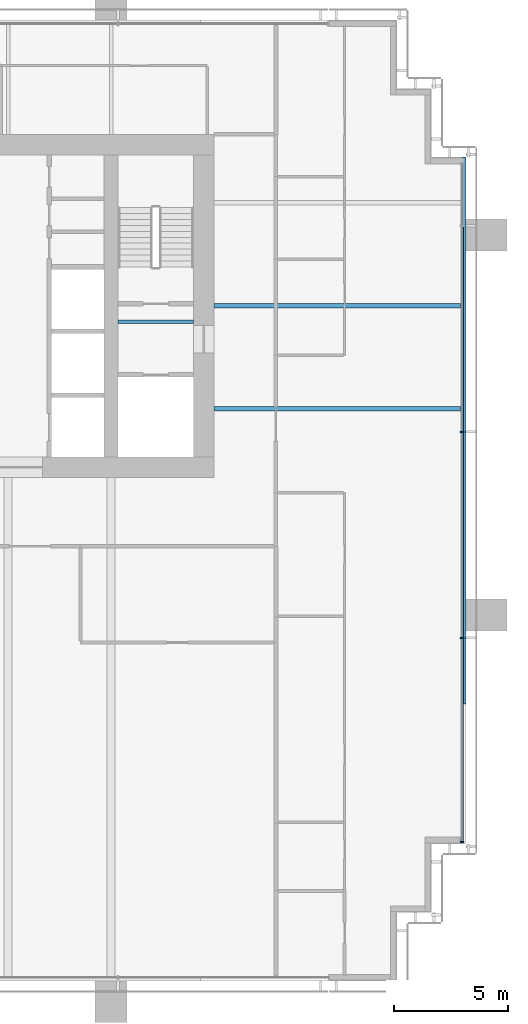
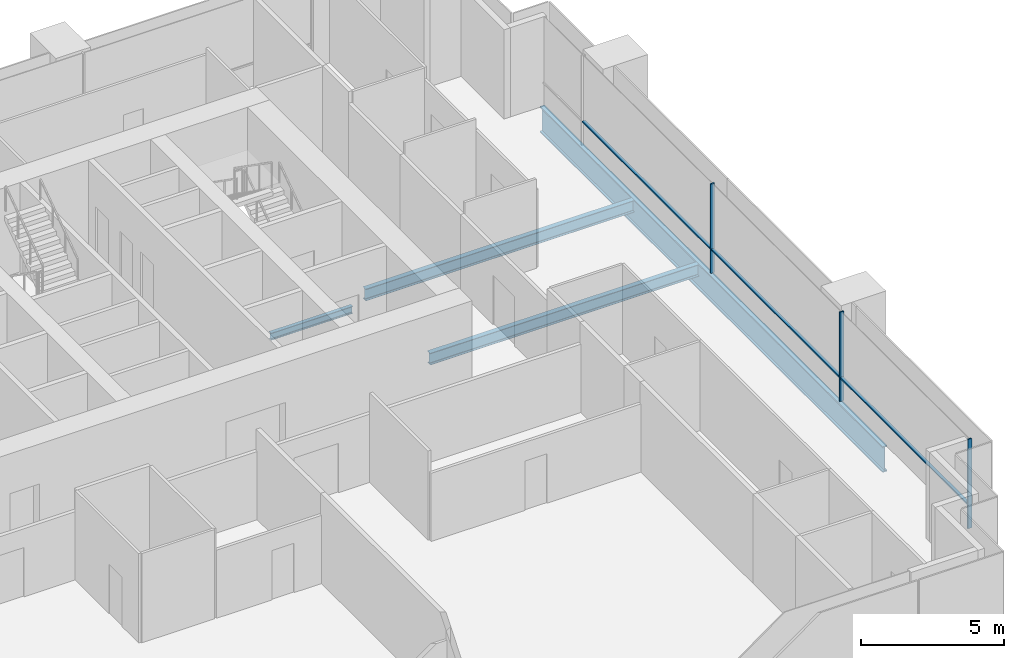
# One storey, part 6 of 18: 6 members, 4 beams, 1 element without a shape of its own.
"""IFC4 building model written with IfcOpenShell, lengths in metres."""

from ifc_helpers import new_model, si_unit, direction, frame, origin, origin_2d, place, context, subcontext, project, spatial, rectangle, i_section, extrude, material, material_profile, profile_set, type_object, element, aggregate, save


model = new_model("IFC4")

# Units and contexts
model_context = context("Model", 3, precision=1e-05, world=origin(), true_north=direction((0.0, 1.0)))
body_context = subcontext(model_context, "Body", "Model", "MODEL_VIEW")
ifc_project = project(units=[si_unit("LENGTHUNIT", "METRE"), si_unit("AREAUNIT", "SQUARE_METRE"), si_unit("VOLUMEUNIT", "CUBIC_METRE"), si_unit("PLANEANGLEUNIT", "RADIAN"), si_unit("MASSUNIT", "GRAM", prefix="KILO")], contexts=[model_context])

# Site, building, storey
site_placement = place(None, origin())
site = spatial("IfcSite", under=ifc_project, at=site_placement, CompositionType="ELEMENT")
building_placement = place(site_placement, origin())
building = spatial("IfcBuilding", under=site, at=building_placement, Name="Rattan Terrace Tower", CompositionType="ELEMENT")
storey_placement = place(building_placement, frame((0.0, 0.0, 134.10009765625)))
storey = spatial("IfcBuildingStorey", under=building, at=storey_placement, Name="L30", CompositionType="ELEMENT", Elevation=134.10009765625)

# Curtain wall, members
ifc_material_1 = material(Name="Aluminium and glass", Category="aluminium")
curtain_wall_type = type_object("IfcCurtainWallType", Name="Facade Unitised Curtain Wall", PredefinedType="NOTDEFINED", material=ifc_material_1)
curtain_wall_placement = place(storey_placement, origin())
curtain_wall = element("IfcCurtainWall", 1, at=curtain_wall_placement, inside=storey, type_object=curtain_wall_type, Name="Curtain wall L30-1", PredefinedType="NOTDEFINED")
ifc_material_2 = material(Name="Aluminium", Category="aluminium")
ifc_material_profile_1 = material_profile(ifc_material_2, rectangle(XDim=0.06005859375, YDim=0.159912109375, at=origin_2d()), Name="Aluminium 60x160")
ifc_profile_set_1 = profile_set([ifc_material_profile_1], Name="Aluminium")
member_type_1 = type_object("IfcMemberType", Name="Facade CW Mullion 60x160", PredefinedType="MULLION", material=ifc_profile_set_1)
member_1_placement = place(storey_placement, frame((28.830078125, -23.425048828125, 0.0), z_axis=(0.0, 0.0, 1.0), x_axis=(0.0, 1.0, 0.0)))
member_1 = element("IfcMember", 2, at=member_1_placement, type_object=member_type_1, Name="Mullion cwl-L30-001.1", PredefinedType="MULLION", context=body_context, shape_type="SweptSolid", body=[
    extrude(rectangle(XDim=0.06005859375, YDim=0.159912109375, at=origin_2d()), origin(), (0.0, 0.0, 1.0), 3.7998046875),
])
member_2_placement = place(storey_placement, frame((28.830078125, -14.5, 0.0), z_axis=(0.0, 0.0, 1.0), x_axis=(0.0, 1.0, 0.0)))
member_2 = element("IfcMember", 3, at=member_2_placement, type_object=member_type_1, Name="Mullion cwl-L30-001.2", PredefinedType="MULLION", context=body_context, shape_type="SweptSolid", body=[
    extrude(rectangle(XDim=0.06005859375, YDim=0.159912109375, at=origin_2d()), origin(), (0.0, 0.0, 1.0), 3.7998046875),
])
member_3_placement = place(storey_placement, frame((28.830078125, -5.5, 0.0), z_axis=(0.0, 0.0, 1.0), x_axis=(0.0, 1.0, 0.0)))
member_3 = element("IfcMember", 4, at=member_3_placement, type_object=member_type_1, Name="Mullion cwl-L30-001.3", PredefinedType="MULLION", context=body_context, shape_type="SweptSolid", body=[
    extrude(rectangle(XDim=0.06005859375, YDim=0.159912109375, at=origin_2d()), origin(), (0.0, 0.0, 1.0), 3.7998046875),
])
ifc_material_3 = material(Name="Aluminium", Category="aluminium")
ifc_material_profile_2 = material_profile(ifc_material_3, rectangle(XDim=0.1201171875, YDim=0.06005859375, at=origin_2d()), Name="Aluminium 120x60")
ifc_profile_set_2 = profile_set([ifc_material_profile_2], Name="Aluminium")
member_type_2 = type_object("IfcMemberType", Name="Facade CW Transom 120x60", PredefinedType="USERDEFINED", material=ifc_profile_set_2)
member_4_placement = place(storey_placement, frame((28.830078125, -23.39501953125, 1.0), z_axis=(0.0, 1.0, 0.0), x_axis=(-1.0, 0.0, 0.0)))
member_4 = element("IfcMember", 5, at=member_4_placement, type_object=member_type_2, Name="Transom cwl-L30-001.1", ObjectType="TRANSOM", PredefinedType="USERDEFINED", context=body_context, shape_type="SweptSolid", body=[
    extrude(rectangle(XDim=0.1201171875, YDim=0.06005859375, at=origin_2d()), origin(), (0.0, 0.0, 1.0), 8.864990234375),
])
member_5_placement = place(storey_placement, frame((28.830078125, -14.469970703125, 1.0), z_axis=(0.0, 1.0, 0.0), x_axis=(-1.0, 0.0, 0.0)))
member_5 = element("IfcMember", 6, at=member_5_placement, type_object=member_type_2, Name="Transom cwl-L30-001.2", ObjectType="TRANSOM", PredefinedType="USERDEFINED", context=body_context, shape_type="SweptSolid", body=[
    extrude(rectangle(XDim=0.1201171875, YDim=0.06005859375, at=origin_2d()), origin(), (0.0, 0.0, 1.0), 8.93994140625),
])
member_6_placement = place(storey_placement, frame((28.830078125, -5.469970703125, 1.0), z_axis=(0.0, 1.0, 0.0), x_axis=(-1.0, 0.0, 0.0)))
member_6 = element("IfcMember", 7, at=member_6_placement, type_object=member_type_2, Name="Transom cwl-L30-001.3", ObjectType="TRANSOM", PredefinedType="USERDEFINED", context=body_context, shape_type="SweptSolid", body=[
    extrude(rectangle(XDim=0.1201171875, YDim=0.06005859375, at=origin_2d()), origin(), (0.0, 0.0, 1.0), 8.93994140625),
])
aggregate(curtain_wall, [member_1, member_2, member_3, member_4, member_5, member_6])

# Beams
ifc_material_4 = material(Name="Steel S460", Category="steel")
ifc_material_profile_3 = material_profile(ifc_material_4, i_section(OverallWidth=0.179931640625, OverallDepth=1.10009765625, WebThickness=0.01611328125, FlangeThickness=0.050048828125, at=origin_2d()), Name="PG 1100x180-16-50")
ifc_profile_set_3 = profile_set([ifc_material_profile_3], Name="Steel S460")
beam_type_1 = type_object("IfcBeamType", Name="Frame edge girder PG 1100x180-16-50", PredefinedType="SPANDREL", material=ifc_profile_set_3)
beam_1_placement = place(storey_placement, frame((28.909912109375, 6.5, -0.75), z_axis=(0.0, -1.0, 0.0), x_axis=(1.0, 0.0, 0.0)))
element("IfcBeam", 8, at=beam_1_placement, inside=storey, type_object=beam_type_1, Name="gdr-L30-004", PredefinedType="SPANDREL", context=body_context, shape_type="SweptSolid", body=[
    extrude(i_section(OverallWidth=0.179931640625, OverallDepth=1.10009765625, WebThickness=0.01611328125, FlangeThickness=0.050048828125, at=origin_2d()), origin(), (0.0, 0.0, 1.0), 23.89990234375),
])
ifc_material_5 = material(Name="Steel S355", Category="steel")
ifc_material_profile_4 = material_profile(ifc_material_5, i_section(OverallWidth=0.14990234375, OverallDepth=0.300048828125, WebThickness=0.007080078125, FlangeThickness=0.0107421875, FilletRadius=0.014892578125, at=origin_2d()), Name="IPE 300")
ifc_profile_set_4 = profile_set([ifc_material_profile_4], Name="Steel S355")
beam_type_2 = type_object("IfcBeamType", Name="Frame floor beam IPE 300", PredefinedType="JOIST", material=ifc_profile_set_4)
beam_2_placement = place(storey_placement, frame((13.800048828125, -0.695068359375, -0.35009765625), z_axis=(1.0, 0.0, 0.0), x_axis=(0.0, 1.0, 0.0)))
element("IfcBeam", 9, at=beam_2_placement, inside=storey, type_object=beam_type_2, Name="bm-L30-002", PredefinedType="JOIST", context=body_context, shape_type="SweptSolid", body=[
    extrude(i_section(OverallWidth=0.14990234375, OverallDepth=0.300048828125, WebThickness=0.007080078125, FlangeThickness=0.0107421875, FilletRadius=0.014892578125, at=origin_2d()), origin(), (0.0, 0.0, 1.0), 3.300048828125),
])
ifc_material_6 = material(Name="Steel S355", Category="steel")
ifc_material_profile_5 = material_profile(ifc_material_6, i_section(OverallWidth=0.199951171875, OverallDepth=0.5, WebThickness=0.01025390625, FlangeThickness=0.01611328125, FilletRadius=0.02099609375, at=origin_2d()), Name="IPE 500")
ifc_profile_set_5 = profile_set([ifc_material_profile_5], Name="Steel S355")
beam_type_3 = type_object("IfcBeamType", Name="Frame floor beam IPE 500", PredefinedType="JOIST", material=ifc_profile_set_5)
for number, where, z_axis, x_axis, name in (
    (10, (18.0, -4.5, -0.4501953125), (1.0, 0.0, 0.0), (0.0, 1.0, 0.0), "bm-L30-011"),
    (11, (18.0, 0.0, -0.4501953125), (1.0, 0.0, 0.0), (0.0, 1.0, 0.0), "bm-L30-013"),
):
    element("IfcBeam", number, at=place(storey_placement, frame(where, z_axis=z_axis, x_axis=x_axis)), inside=storey, type_object=beam_type_3, Name=name, PredefinedType="JOIST", context=body_context, shape_type="SweptSolid", body=[
        extrude(i_section(OverallWidth=0.199951171875, OverallDepth=0.5, WebThickness=0.01025390625, FlangeThickness=0.01611328125, FilletRadius=0.02099609375, at=origin_2d()), origin(), (0.0, 0.0, 1.0), 10.820068359375),
    ])

save(model, "model.ifc")
